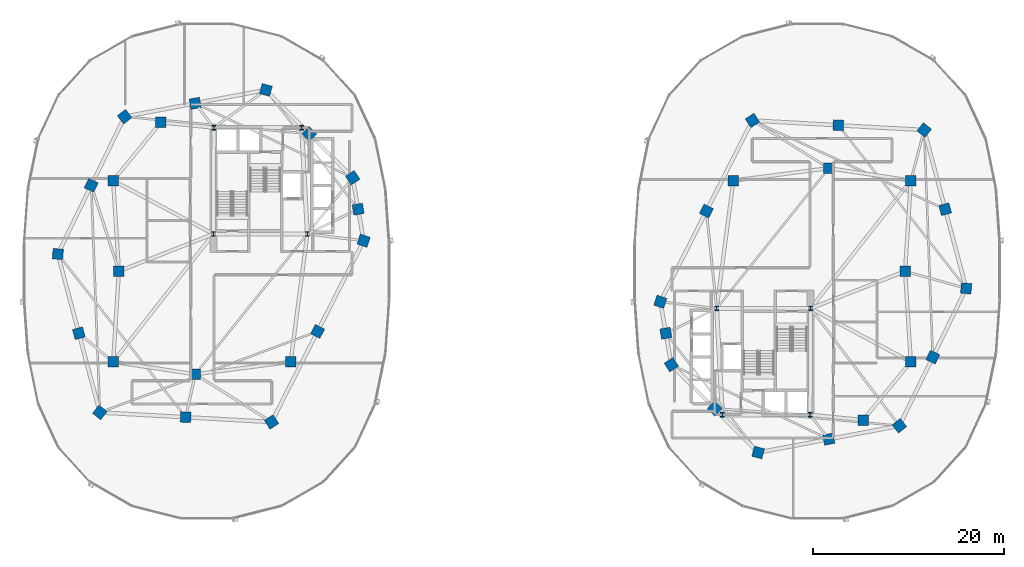
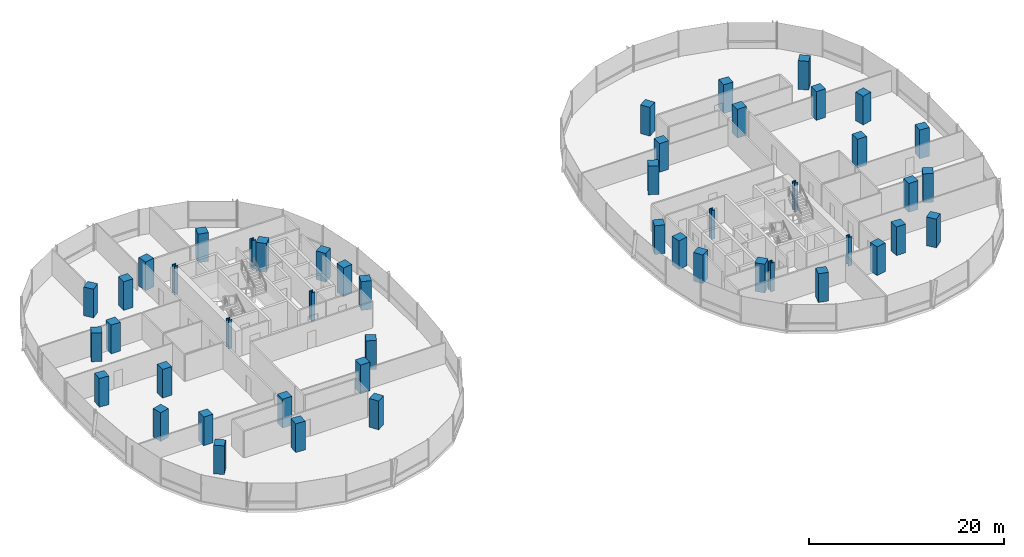
# One storey, part 1 of 21: 48 columns.
"""IFC4 building model written with IfcOpenShell, lengths in metres."""

from ifc_helpers import new_model, si_unit, direction, frame, origin, origin_2d, place, context, subcontext, project, spatial, rectangle, i_section, extrude, material, material_profile, profile_set, type_object, element, save


model = new_model("IFC4")

# Units and contexts
model_context = context("Model", 3, precision=1e-05, world=origin(), true_north=direction((0.0, 1.0)))
body_context = subcontext(model_context, "Body", "Model", "MODEL_VIEW")
ifc_project = project(units=[si_unit("LENGTHUNIT", "METRE"), si_unit("AREAUNIT", "SQUARE_METRE"), si_unit("VOLUMEUNIT", "CUBIC_METRE"), si_unit("PLANEANGLEUNIT", "RADIAN"), si_unit("MASSUNIT", "GRAM", prefix="KILO"), si_unit("THERMODYNAMICTEMPERATUREUNIT", "KELVIN"), si_unit("POWERUNIT", "WATT")], contexts=[model_context])

# Site, building, storey
site_placement = place(None, origin())
site = spatial("IfcSite", under=ifc_project, at=site_placement, CompositionType="ELEMENT")
building_placement = place(site_placement, origin())
building = spatial("IfcBuilding", under=site, at=building_placement, Name="Cundina Bronze Exchange", CompositionType="ELEMENT")
storey_placement = place(building_placement, frame((0.0, 0.0, 99.800048828125)))
storey = spatial("IfcBuildingStorey", under=building, at=storey_placement, Name="L25", CompositionType="ELEMENT", Elevation=99.800048828125)

# Columns
ifc_material_1 = material(Name="Steel ASTM A992 Grade 50", Category="steel")
ifc_material_profile_1 = material_profile(ifc_material_1, i_section(OverallWidth=0.431884765625, OverallDepth=0.498046875, WebThickness=0.0556640625, FlangeThickness=0.0888671875, FilletRadius=0.01806640625, at=origin_2d()), Name="W14X500", Category="steel")
ifc_profile_set_1 = profile_set([ifc_material_profile_1], Name="Steel ASTM A992 Grade 50")
column_type_1 = type_object("IfcColumnType", Name="COL-STL-W14A", PredefinedType="COLUMN", material=ifc_profile_set_1)
for number, where, z_axis, x_axis, name in (
    (1, (-31.300048828125, 3.89990234375, 0.0), (0.0, 0.0, 1.0), (1.0, 0.0, 0.0), "L25 Core Anchor Column W1"),
    (2, (-21.449951171875, 3.89990234375, 0.0), (0.0, 0.0, 1.0), (1.0, 0.0, 0.0), "L25 Core Anchor Column W2"),
    (3, (-22.050048828125, 15.050048828125, 0.0), (0.0, 0.0, 1.0), (1.0, 0.0, 0.0), "L25 Core Anchor Column W3"),
    (4, (-31.25, 15.050048828125, 0.0), (0.0, 0.0, 1.0), (1.0, 0.0, 0.0), "L25 Core Anchor Column W4"),
    (5, (31.300048828125, -3.89990234375, 0.0), (0.0, 0.0, 1.0), (1.0, 0.0, 0.0), "L25 Core Anchor Column E1"),
    (6, (21.449951171875, -3.89990234375, 0.0), (0.0, 0.0, 1.0), (1.0, 0.0, 0.0), "L25 Core Anchor Column E2"),
    (7, (22.050048828125, -15.050048828125, 0.0), (0.0, 0.0, 1.0), (1.0, 0.0, 0.0), "L25 Core Anchor Column E3"),
    (8, (31.25, -15.050048828125, 0.0), (0.0, 0.0, 1.0), (1.0, 0.0, 0.0), "L25 Core Anchor Column E4"),
):
    element("IfcColumn", number, at=place(storey_placement, frame(where, z_axis=z_axis, x_axis=x_axis)), inside=storey, type_object=column_type_1, Name=name, PredefinedType="COLUMN", context=body_context, shape_type="SweptSolid", body=[
        extrude(i_section(OverallWidth=0.431884765625, OverallDepth=0.498046875, WebThickness=0.0556640625, FlangeThickness=0.0888671875, FilletRadius=0.01806640625, at=origin_2d()), origin(), (0.0, 0.0, 1.0), 3.599853515625),
    ])
ifc_material_2 = material(Name="Concrete C60/75", Category="concrete")
ifc_material_profile_2 = material_profile(ifc_material_2, rectangle(XDim=1.10009765625, YDim=1.10009765625, at=origin_2d()), Name="RC1100X1100", Category="concrete")
ifc_profile_set_2 = profile_set([ifc_material_profile_2], Name="Concrete C60/75")
column_type_2 = type_object("IfcColumnType", Name="COL-Z2-1100", PredefinedType="COLUMN", material=ifc_profile_set_2)
for number, where, z_axis, x_axis, name in (
    (9, (-41.199951171875, 0.0, 0.0), (0.0, 0.0, 1.0), (1.0, 0.0, 0.0), "L25 W Inner Ring Column 1"),
    (10, (-41.800048828125, 9.5, 0.0), (0.0, 0.0, 1.0), (1.0, 0.0, 0.0), "L25 W Inner Ring Column 2"),
    (11, (-36.800048828125, 15.60009765625, 0.0), (0.0, 0.0, 1.0), (1.0, 0.0, 0.0), "L25 W Inner Ring Column 3"),
    (12, (-41.800048828125, -9.5, 0.0), (0.0, 0.0, 1.0), (1.0, 0.0, 0.0), "L25 W Inner Ring Column 4"),
    (13, (-33.199951171875, -10.800048828125, 0.0), (0.0, 0.0, 1.0), (1.0, 0.0, 0.0), "L25 W Inner Ring Column 5"),
    (14, (-23.199951171875, -9.5, 0.0), (0.0, 0.0, 1.0), (1.0, 0.0, 0.0), "L25 W Inner Ring Column 6"),
    (15, (41.199951171875, 0.0, 0.0), (0.0, 0.0, 1.0), (1.0, 0.0, 0.0), "L25 E Inner Ring Column 1"),
    (16, (41.800048828125, -9.5, 0.0), (0.0, 0.0, 1.0), (1.0, 0.0, 0.0), "L25 E Inner Ring Column 2"),
    (17, (36.800048828125, -15.60009765625, 0.0), (0.0, 0.0, 1.0), (1.0, 0.0, 0.0), "L25 E Inner Ring Column 3"),
    (18, (41.800048828125, 9.5, 0.0), (0.0, 0.0, 1.0), (1.0, 0.0, 0.0), "L25 E Inner Ring Column 4"),
    (19, (33.199951171875, 10.800048828125, 0.0), (0.0, 0.0, 1.0), (1.0, 0.0, 0.0), "L25 E Inner Ring Column 5"),
    (20, (23.199951171875, 9.5, 0.0), (0.0, 0.0, 1.0), (1.0, 0.0, 0.0), "L25 E Inner Ring Column 6"),
    (21, (-15.550048828125, 3.199951171875, 0.0), (0.0, 0.0, 1.0), (0.315152163383, 0.949041155016, 0.0), "L25 W Perimeter Column 00"),
    (22, (-16.125, 6.5, 0.0), (0.0, 0.0, 1.0), (-0.171585221787, 0.985169280715, 0.0), "L25 W Perimeter Column 01"),
    (23, (-16.699951171875, 9.800048828125, 0.0), (0.0, 0.0, 1.0), (-0.544199833495, 0.838955625301, 0.0), "L25 W Perimeter Column 02"),
    (24, (-21.25, 14.39990234375, 0.0), (0.0, 0.0, 1.0), (-0.703270634186, 0.710922228581, 0.0), "L25 W Perimeter Column 03"),
    (25, (-25.800048828125, 19.0, 0.0), (0.0, 0.0, 1.0), (-0.965970984022, 0.258650455301, 0.0), "L25 W Perimeter Column 04"),
    (26, (-33.199951171875, 17.60009765625, 0.0), (0.0, 0.0, 1.0), (-0.98258037664, -0.185838110843, 0.0), "L25 W Perimeter Column 05"),
    (27, (-40.60009765625, 16.199951171875, 0.0), (0.0, 0.0, 1.0), (-0.785100778485, -0.619368038909, 0.0), "L25 W Perimeter Column 06"),
    (28, (-44.10009765625, 9.0, 0.0), (0.0, 0.0, 1.0), (-0.437115766651, -0.899405251566, 0.0), "L25 W Perimeter Column 07"),
    (29, (-47.60009765625, 1.800048828125, 0.0), (0.0, 0.0, 1.0), (-0.083503921245, -0.996507448611, 0.0), "L25 W Perimeter Column 08"),
    (30, (-45.39990234375, -6.5, 0.0), (0.0, 0.0, 1.0), (0.256289373133, -0.966600102017, 0.0), "L25 W Perimeter Column 09"),
    (31, (-43.199951171875, -14.800048828125, 0.0), (0.0, 0.0, 1.0), (0.786288432137, -0.61785961309, 0.0), "L25 W Perimeter Column 10"),
    (32, (-34.199951171875, -15.300048828125, 0.0), (0.0, 0.0, 1.0), (0.998460188734, -0.055472980025, 0.0), "L25 W Perimeter Column 11"),
    (33, (-25.199951171875, -15.800048828125, 0.0), (0.0, 0.0, 1.0), (0.838099763533, 0.545516989988, 0.0), "L25 W Perimeter Column 12"),
    (34, (-20.375, -6.300048828125, 0.0), (0.0, 0.0, 1.0), (0.452901591366, 0.891560513111, 0.0), "L25 W Perimeter Column 13"),
    (35, (15.550048828125, -3.199951171875, 0.0), (0.0, 0.0, 1.0), (-0.315152163383, -0.949041155016, 0.0), "L25 E Perimeter Column 00"),
    (36, (16.125, -6.5, 0.0), (0.0, 0.0, 1.0), (0.171585221787, -0.985169280715, 0.0), "L25 E Perimeter Column 01"),
    (37, (16.699951171875, -9.800048828125, 0.0), (0.0, 0.0, 1.0), (0.544199833495, -0.838955625301, 0.0), "L25 E Perimeter Column 02"),
    (38, (21.25, -14.39990234375, 0.0), (0.0, 0.0, 1.0), (0.703270634186, -0.710922228581, 0.0), "L25 E Perimeter Column 03"),
    (39, (25.800048828125, -19.0, 0.0), (0.0, 0.0, 1.0), (0.965970984022, -0.258650455301, 0.0), "L25 E Perimeter Column 04"),
    (40, (33.199951171875, -17.60009765625, 0.0), (0.0, 0.0, 1.0), (0.98258037664, 0.185838110843, 0.0), "L25 E Perimeter Column 05"),
    (41, (40.60009765625, -16.199951171875, 0.0), (0.0, 0.0, 1.0), (0.785100778485, 0.619368038909, 0.0), "L25 E Perimeter Column 06"),
    (42, (44.10009765625, -9.0, 0.0), (0.0, 0.0, 1.0), (0.437115766651, 0.899405251566, 0.0), "L25 E Perimeter Column 07"),
    (43, (47.60009765625, -1.800048828125, 0.0), (0.0, 0.0, 1.0), (0.083503921245, 0.996507448611, 0.0), "L25 E Perimeter Column 08"),
    (44, (45.39990234375, 6.5, 0.0), (0.0, 0.0, 1.0), (-0.256289373133, 0.966600102017, 0.0), "L25 E Perimeter Column 09"),
    (45, (43.199951171875, 14.800048828125, 0.0), (0.0, 0.0, 1.0), (-0.786288432137, 0.61785961309, 0.0), "L25 E Perimeter Column 10"),
    (46, (34.199951171875, 15.300048828125, 0.0), (0.0, 0.0, 1.0), (-0.998460188734, 0.055472980025, 0.0), "L25 E Perimeter Column 11"),
    (47, (25.199951171875, 15.800048828125, 0.0), (0.0, 0.0, 1.0), (-0.838099763533, -0.545516989988, 0.0), "L25 E Perimeter Column 12"),
    (48, (20.375, 6.300048828125, 0.0), (0.0, 0.0, 1.0), (-0.452901591366, -0.891560513111, 0.0), "L25 E Perimeter Column 13"),
):
    element("IfcColumn", number, at=place(storey_placement, frame(where, z_axis=z_axis, x_axis=x_axis)), inside=storey, type_object=column_type_2, Name=name, PredefinedType="COLUMN", context=body_context, shape_type="SweptSolid", body=[
        extrude(rectangle(XDim=1.10009765625, YDim=1.10009765625, at=origin_2d()), origin(), (0.0, 0.0, 1.0), 3.599853515625),
    ])

save(model, "model.ifc")
